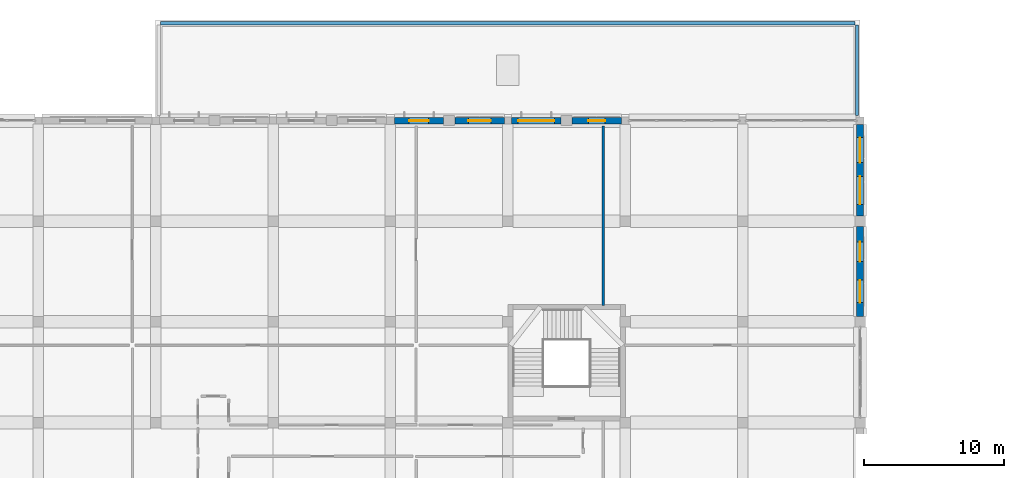
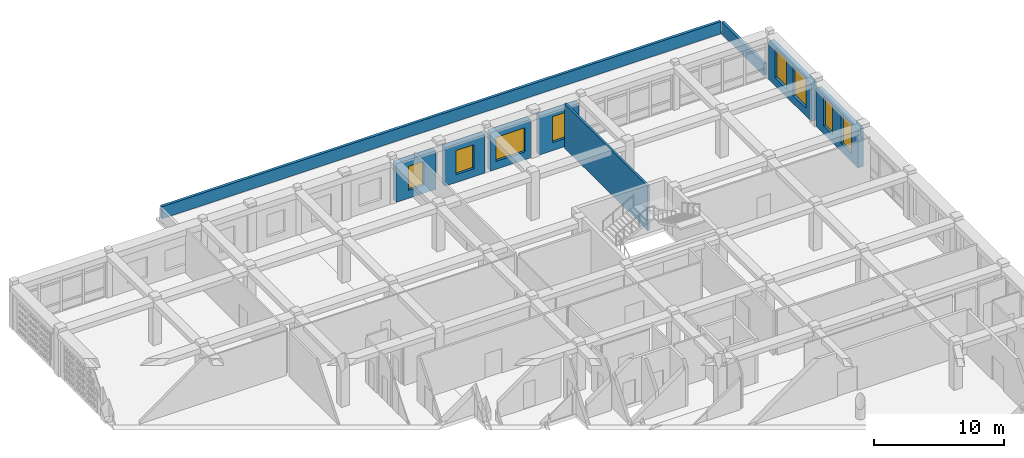
# One storey, part 70 of 111: 9 walls, 8 windows, 8 openings.
"""IFC4 building model written with IfcOpenShell, lengths in metres."""

from ifc_helpers import new_model, si_unit, derived_unit, direction, frame, frame_2d, origin, place, context, subcontext, project, spatial, rectangle, extrude, material, layer, layer_set, type_object, element, fill, save


model = new_model("IFC4")

# Units and contexts
model_context = context("Model", 3, precision=1e-05, world=origin(), true_north=direction((0.0, 1.0)))
body_context = subcontext(model_context, "Body", "Model", "MODEL_VIEW")
ifc_project = project(units=[si_unit("LENGTHUNIT", "METRE"), si_unit("AREAUNIT", "SQUARE_METRE"), si_unit("VOLUMEUNIT", "CUBIC_METRE"), si_unit("PLANEANGLEUNIT", "RADIAN"), si_unit("MASSUNIT", "GRAM", prefix="KILO"), derived_unit("THERMALTRANSMITTANCEUNIT", [(si_unit("POWERUNIT", "WATT"), 1), (si_unit("LENGTHUNIT", "METRE"), -2), (si_unit("THERMODYNAMICTEMPERATUREUNIT", "KELVIN"), -1)])], contexts=[model_context])

# Site, building, storey
site_placement = place(None, origin())
site = spatial("IfcSite", under=ifc_project, at=site_placement, CompositionType="ELEMENT")
building_placement = place(site_placement, origin())
building = spatial("IfcBuilding", under=site, at=building_placement, Name="Veybourne Emporium", CompositionType="ELEMENT")
storey_placement = place(building_placement, frame((0.0, 0.0, 9.89990234375)))
storey = spatial("IfcBuildingStorey", under=building, at=storey_placement, Name="L02", CompositionType="ELEMENT", Elevation=9.89990234375)

# Wall, opening, window
ifc_material_1 = material(Name="Portland Limestone Ashlar", Category="masonry")
ifc_layer_1 = layer(ifc_material_1, 0.47998046875)
ifc_layer_set_1 = layer_set([ifc_layer_1], Name="Portland Limestone Ashlar")
wall_type_1 = type_object("IfcWallType", Name="ExtWall_EW-01", PredefinedType="SOLIDWALL", material=ifc_layer_set_1)
wall_1_placement = place(storey_placement, frame((67.47509765625, 108.0, 0.0), z_axis=(0.0, 0.0, 1.0), x_axis=(1.0, 0.0, 0.0)))
wall_1 = element("IfcWall", 1, at=wall_1_placement, inside=storey, type_object=wall_type_1, Name="L02 Portland stone external wall 038A", PredefinedType="SOLIDWALL", context=body_context, shape_type="SweptSolid", body=[
    extrude(rectangle(XDim=3.52490234375, YDim=0.47998046875, at=frame_2d((1.762451171875, 0.0))), origin(), (0.0, 0.0, 1.0), 3.630126953125),
])
opening_1_placement = place(wall_1_placement, frame((1.0625, 0.0, 0.75)))
opening_1 = element("IfcOpeningElement", 2, at=opening_1_placement, cuts=wall_1, Name="Opening W-18", PredefinedType="OPENING", context=body_context, shape_type="SweptSolid", body=[
    extrude(rectangle(XDim=1.39990234375, YDim=2.260009765625, at=frame_2d((0.699951171875, 1.1298828125))), frame((0.0, 0.260009765625, 0.0), z_axis=(0.0, -1.0, 0.0), x_axis=(1.0, 0.0, 0.0)), (0.0, 0.0, 1.0), 0.52001953125),
])
ifc_material_2 = material(Name="Low-E Triple Glazing", Category="glass")
window_type_1 = type_object("IfcWindowType", Name="Win_W-18", PartitioningType="DOUBLE_PANEL_VERTICAL", PredefinedType="WINDOW", material=ifc_material_2)
window_1_placement = place(opening_1_placement, origin())
window_1 = element("IfcWindow", 3, at=window_1_placement, inside=storey, type_object=window_type_1, Name="L02 tripartite bronze casement window W-18 (38A)", OverallHeight=2.260009765625, OverallWidth=1.39990234375, PartitioningType="DOUBLE_PANEL_VERTICAL", PredefinedType="WINDOW", context=body_context, shape_type="SweptSolid", body=[
    extrude(rectangle(XDim=1.39990234375, YDim=2.260009765625, at=frame_2d((0.699951171875, 1.1298828125))), frame((0.0, 0.030029296875, 0.0), z_axis=(0.0, -1.0, 0.0), x_axis=(1.0, 0.0, 0.0)), (0.0, 0.0, 1.0), 0.06005859375),
])
fill(opening_1, window_1)

wall_2_placement = place(storey_placement, frame((71.800048828125, 108.0, 0.0), z_axis=(0.0, 0.0, 1.0), x_axis=(1.0, 0.0, 0.0)))
wall_2 = element("IfcWall", 4, at=wall_2_placement, inside=storey, type_object=wall_type_1, Name="L02 Portland stone external wall 038B", PredefinedType="SOLIDWALL", context=body_context, shape_type="SweptSolid", body=[
    extrude(rectangle(XDim=3.550048828125, YDim=0.47998046875, at=frame_2d((1.77490234375, 0.0))), origin(), (0.0, 0.0, 1.0), 3.630126953125),
])
opening_2_placement = place(wall_2_placement, frame((0.97509765625, 0.0, 0.75)))
opening_2 = element("IfcOpeningElement", 5, at=opening_2_placement, cuts=wall_2, Name="Opening W-19", PredefinedType="OPENING", context=body_context, shape_type="SweptSolid", body=[
    extrude(rectangle(XDim=1.60009765625, YDim=2.260009765625, at=frame_2d((0.800048828125, 1.1298828125))), frame((0.0, 0.260009765625, 0.0), z_axis=(0.0, -1.0, 0.0), x_axis=(1.0, 0.0, 0.0)), (0.0, 0.0, 1.0), 0.52001953125),
])
window_type_2 = type_object("IfcWindowType", Name="Win_W-19", PartitioningType="DOUBLE_PANEL_VERTICAL", PredefinedType="WINDOW", material=ifc_material_2)
window_2_placement = place(opening_2_placement, origin())
window_2 = element("IfcWindow", 6, at=window_2_placement, inside=storey, type_object=window_type_2, Name="L02 tripartite bronze casement window W-19 (38B)", OverallHeight=2.260009765625, OverallWidth=1.60009765625, PartitioningType="DOUBLE_PANEL_VERTICAL", PredefinedType="WINDOW", context=body_context, shape_type="SweptSolid", body=[
    extrude(rectangle(XDim=1.60009765625, YDim=2.260009765625, at=frame_2d((0.800048828125, 1.1298828125))), frame((0.0, 0.030029296875, 0.0), z_axis=(0.0, -1.0, 0.0), x_axis=(1.0, 0.0, 0.0)), (0.0, 0.0, 1.0), 0.06005859375),
])
fill(opening_2, window_2)

wall_3_placement = place(storey_placement, frame((75.85009765625, 108.0, 0.0), z_axis=(0.0, 0.0, 1.0), x_axis=(1.0, 0.0, 0.0)))
wall_3 = element("IfcWall", 7, at=wall_3_placement, inside=storey, type_object=wall_type_1, Name="L02 Portland stone external wall 042A", PredefinedType="SOLIDWALL", context=body_context, shape_type="SweptSolid", body=[
    extrude(rectangle(XDim=3.5498046875, YDim=0.47998046875, at=frame_2d((1.77490234375, 0.0))), origin(), (0.0, 0.0, 1.0), 3.630126953125),
])
opening_3_placement = place(wall_3_placement, frame((0.47509765625, 0.0, 0.75)))
opening_3 = element("IfcOpeningElement", 8, at=opening_3_placement, cuts=wall_3, Name="Opening W-24", PredefinedType="OPENING", context=body_context, shape_type="SweptSolid", body=[
    extrude(rectangle(XDim=2.60009765625, YDim=2.260009765625, at=frame_2d((1.300048828125, 1.1298828125))), frame((0.0, 0.260009765625, 0.0), z_axis=(0.0, -1.0, 0.0), x_axis=(1.0, 0.0, 0.0)), (0.0, 0.0, 1.0), 0.52001953125),
])
window_type_3 = type_object("IfcWindowType", Name="Win_W-24", PartitioningType="TRIPLE_PANEL_VERTICAL", PredefinedType="WINDOW", material=ifc_material_2)
window_3_placement = place(opening_3_placement, origin())
window_3 = element("IfcWindow", 9, at=window_3_placement, inside=storey, type_object=window_type_3, Name="L02 tripartite bronze casement window W-24 (42A)", OverallHeight=2.260009765625, OverallWidth=2.60009765625, PartitioningType="TRIPLE_PANEL_VERTICAL", PredefinedType="WINDOW", context=body_context, shape_type="SweptSolid", body=[
    extrude(rectangle(XDim=2.60009765625, YDim=2.260009765625, at=frame_2d((1.300048828125, 1.1298828125))), frame((0.0, 0.030029296875, 0.0), z_axis=(0.0, -1.0, 0.0), x_axis=(1.0, 0.0, 0.0)), (0.0, 0.0, 1.0), 0.06005859375),
])
fill(opening_3, window_3)

wall_4_placement = place(storey_placement, frame((80.199951171875, 108.0, 0.0), z_axis=(0.0, 0.0, 1.0), x_axis=(1.0, 0.0, 0.0)))
wall_4 = element("IfcWall", 10, at=wall_4_placement, inside=storey, type_object=wall_type_1, Name="L02 Portland stone external wall 042B", PredefinedType="SOLIDWALL", context=body_context, shape_type="SweptSolid", body=[
    extrude(rectangle(XDim=3.525146484375, YDim=0.47998046875, at=frame_2d((1.7626953125, 0.0))), origin(), (0.0, 0.0, 1.0), 3.630126953125),
])
opening_4_placement = place(wall_4_placement, frame((1.16259765625, 0.0, 0.75)))
opening_4 = element("IfcOpeningElement", 11, at=opening_4_placement, cuts=wall_4, Name="Opening W-25", PredefinedType="OPENING", context=body_context, shape_type="SweptSolid", body=[
    extrude(rectangle(XDim=1.199951171875, YDim=2.43994140625, at=frame_2d((0.60009765625, 1.219970703125))), frame((0.0, 0.260009765625, 0.0), z_axis=(0.0, -1.0, 0.0), x_axis=(1.0, 0.0, 0.0)), (0.0, 0.0, 1.0), 0.52001953125),
])
window_type_4 = type_object("IfcWindowType", Name="Win_W-25", PartitioningType="SINGLE_PANEL", PredefinedType="WINDOW", material=ifc_material_2)
window_4_placement = place(opening_4_placement, origin())
window_4 = element("IfcWindow", 12, at=window_4_placement, inside=storey, type_object=window_type_4, Name="L02 tripartite bronze casement window W-25 (42B)", OverallHeight=2.43994140625, OverallWidth=1.199951171875, PartitioningType="SINGLE_PANEL", PredefinedType="WINDOW", context=body_context, shape_type="SweptSolid", body=[
    extrude(rectangle(XDim=1.199951171875, YDim=2.43994140625, at=frame_2d((0.60009765625, 1.219970703125))), frame((0.0, 0.030029296875, 0.0), z_axis=(0.0, -1.0, 0.0), x_axis=(1.0, 0.0, 0.0)), (0.0, 0.0, 1.0), 0.06005859375),
])
fill(opening_4, window_4)

# Wall, openings, windows
wall_5_placement = place(storey_placement, frame((100.800048828125, 100.425048828125, 0.0), z_axis=(0.0, 0.0, 1.0), x_axis=(0.0, -1.0, 0.0)))
wall_5 = element("IfcWall", 13, at=wall_5_placement, inside=storey, type_object=wall_type_1, Name="L02 Portland stone external wall 058", PredefinedType="SOLIDWALL", context=body_context, shape_type="SweptSolid", body=[
    extrude(rectangle(XDim=6.449951171875, YDim=0.47998046875, at=frame_2d((3.22509765625, 0.0))), origin(), (0.0, 0.0, 1.0), 3.630126953125),
])
opening_5_placement = place(wall_5_placement, frame((1.10595703125, 0.0, 0.75)))
opening_5 = element("IfcOpeningElement", 14, at=opening_5_placement, cuts=wall_5, Name="Opening W-42", PredefinedType="OPENING", context=body_context, shape_type="SweptSolid", body=[
    extrude(rectangle(XDim=1.39990234375, YDim=2.72998046875, at=frame_2d((0.699951171875, 1.364990234375))), frame((0.0, 0.260009765625, 0.0), z_axis=(0.0, -1.0, 0.0), x_axis=(1.0, 0.0, 0.0)), (0.0, 0.0, 1.0), 0.52001953125),
])
opening_6_placement = place(wall_5_placement, frame((3.843994140625, 0.0, 0.75)))
opening_6 = element("IfcOpeningElement", 15, at=opening_6_placement, cuts=wall_5, Name="Opening W-43", PredefinedType="OPENING", context=body_context, shape_type="SweptSolid", body=[
    extrude(rectangle(XDim=1.60009765625, YDim=2.72998046875, at=frame_2d((0.800048828125, 1.364990234375))), frame((0.0, 0.260009765625, 0.0), z_axis=(0.0, -1.0, 0.0), x_axis=(1.0, 0.0, 0.0)), (0.0, 0.0, 1.0), 0.52001953125),
])
window_type_5 = type_object("IfcWindowType", Name="Win_W-42", PartitioningType="DOUBLE_PANEL_VERTICAL", PredefinedType="WINDOW", material=ifc_material_2)
window_5_placement = place(opening_5_placement, origin())
window_5 = element("IfcWindow", 16, at=window_5_placement, inside=storey, type_object=window_type_5, Name="L02 tripartite bronze casement window W-42 (58.1)", OverallHeight=2.72998046875, OverallWidth=1.39990234375, PartitioningType="DOUBLE_PANEL_VERTICAL", PredefinedType="WINDOW", context=body_context, shape_type="SweptSolid", body=[
    extrude(rectangle(XDim=1.39990234375, YDim=2.72998046875, at=frame_2d((0.699951171875, 1.364990234375))), frame((0.0, 0.030029296875, 0.0), z_axis=(0.0, -1.0, 0.0), x_axis=(1.0, 0.0, 0.0)), (0.0, 0.0, 1.0), 0.06005859375),
])
fill(opening_5, window_5)
window_type_6 = type_object("IfcWindowType", Name="Win_W-43", PartitioningType="DOUBLE_PANEL_VERTICAL", PredefinedType="WINDOW", material=ifc_material_2)
window_6_placement = place(opening_6_placement, origin())
window_6 = element("IfcWindow", 17, at=window_6_placement, inside=storey, type_object=window_type_6, Name="L02 tripartite bronze casement window W-43 (58.2)", OverallHeight=2.72998046875, OverallWidth=1.60009765625, PartitioningType="DOUBLE_PANEL_VERTICAL", PredefinedType="WINDOW", context=body_context, shape_type="SweptSolid", body=[
    extrude(rectangle(XDim=1.60009765625, YDim=2.72998046875, at=frame_2d((0.800048828125, 1.364990234375))), frame((0.0, 0.030029296875, 0.0), z_axis=(0.0, -1.0, 0.0), x_axis=(1.0, 0.0, 0.0)), (0.0, 0.0, 1.0), 0.06005859375),
])
fill(opening_6, window_6)

wall_6_placement = place(storey_placement, frame((100.800048828125, 107.72509765625, 0.0), z_axis=(0.0, 0.0, 1.0), x_axis=(0.0, -1.0, 0.0)))
wall_6 = element("IfcWall", 18, at=wall_6_placement, inside=storey, type_object=wall_type_1, Name="L02 Portland stone external wall 059", PredefinedType="SOLIDWALL", context=body_context, shape_type="SweptSolid", body=[
    extrude(rectangle(XDim=6.550048828125, YDim=0.47998046875, at=frame_2d((3.27490234375, 0.0))), origin(), (0.0, 0.0, 1.0), 3.630126953125),
])
opening_7_placement = place(wall_6_placement, frame((0.93408203125, 0.0, 0.75)))
opening_7 = element("IfcOpeningElement", 19, at=opening_7_placement, cuts=wall_6, Name="Opening W-44", PredefinedType="OPENING", context=body_context, shape_type="SweptSolid", body=[
    extrude(rectangle(XDim=1.800048828125, YDim=2.72998046875, at=frame_2d((0.89990234375, 1.364990234375))), frame((0.0, 0.260009765625, 0.0), z_axis=(0.0, -1.0, 0.0), x_axis=(1.0, 0.0, 0.0)), (0.0, 0.0, 1.0), 0.52001953125),
])
opening_8_placement = place(wall_6_placement, frame((3.716064453125, 0.0, 0.75)))
opening_8 = element("IfcOpeningElement", 20, at=opening_8_placement, cuts=wall_6, Name="Opening W-45", PredefinedType="OPENING", context=body_context, shape_type="SweptSolid", body=[
    extrude(rectangle(XDim=2.0, YDim=2.72998046875, at=frame_2d((1.0, 1.364990234375))), frame((0.0, 0.260009765625, 0.0), z_axis=(0.0, -1.0, 0.0), x_axis=(1.0, 0.0, 0.0)), (0.0, 0.0, 1.0), 0.52001953125),
])
window_type_7 = type_object("IfcWindowType", Name="Win_W-44", PartitioningType="DOUBLE_PANEL_VERTICAL", PredefinedType="WINDOW", material=ifc_material_2)
window_7_placement = place(opening_7_placement, origin())
window_7 = element("IfcWindow", 21, at=window_7_placement, inside=storey, type_object=window_type_7, Name="L02 tripartite bronze casement window W-44 (59.1)", OverallHeight=2.72998046875, OverallWidth=1.800048828125, PartitioningType="DOUBLE_PANEL_VERTICAL", PredefinedType="WINDOW", context=body_context, shape_type="SweptSolid", body=[
    extrude(rectangle(XDim=1.800048828125, YDim=2.72998046875, at=frame_2d((0.89990234375, 1.364990234375))), frame((0.0, 0.030029296875, 0.0), z_axis=(0.0, -1.0, 0.0), x_axis=(1.0, 0.0, 0.0)), (0.0, 0.0, 1.0), 0.06005859375),
])
fill(opening_7, window_7)
window_type_8 = type_object("IfcWindowType", Name="Win_W-45", PartitioningType="TRIPLE_PANEL_VERTICAL", PredefinedType="WINDOW", material=ifc_material_2)
window_8_placement = place(opening_8_placement, origin())
window_8 = element("IfcWindow", 22, at=window_8_placement, inside=storey, type_object=window_type_8, Name="L02 tripartite bronze casement window W-45 (59.2)", OverallHeight=2.72998046875, OverallWidth=2.0, PartitioningType="TRIPLE_PANEL_VERTICAL", PredefinedType="WINDOW", context=body_context, shape_type="SweptSolid", body=[
    extrude(rectangle(XDim=2.0, YDim=2.72998046875, at=frame_2d((1.0, 1.364990234375))), frame((0.0, 0.030029296875, 0.0), z_axis=(0.0, -1.0, 0.0), x_axis=(1.0, 0.0, 0.0)), (0.0, 0.0, 1.0), 0.06005859375),
])
fill(opening_8, window_8)

# Walls
ifc_material_3 = material(Name="Precast concrete C40/50", Category="concrete")
ifc_layer_2 = layer(ifc_material_3, 0.239990234375)
ifc_layer_set_2 = layer_set([ifc_layer_2], Name="Precast concrete C40/50")
wall_type_2 = type_object("IfcWallType", Name="ExtWall_PW-02", PredefinedType="PARAPET", material=ifc_layer_set_2)
wall_7_placement = place(storey_placement, frame((100.580078125, 114.85009765625, 0.0), z_axis=(0.0, 0.0, 1.0), x_axis=(0.0, -1.0, 0.0)))
element("IfcWall", 23, at=wall_7_placement, inside=storey, type_object=wall_type_2, Name="L02 roof parapet wall 003", PredefinedType="PARAPET", context=body_context, shape_type="SweptSolid", body=[
    extrude(rectangle(XDim=6.5, YDim=0.239990234375, at=frame_2d((3.25, 0.0))), origin(), (0.0, 0.0, 1.0), 1.150146484375),
])
wall_8_placement = place(storey_placement, frame((50.75, 114.97998046875, 0.0), z_axis=(0.0, 0.0, 1.0), x_axis=(1.0, 0.0, 0.0)))
element("IfcWall", 24, at=wall_8_placement, inside=storey, type_object=wall_type_2, Name="L02 roof parapet wall 005", PredefinedType="PARAPET", context=body_context, shape_type="SweptSolid", body=[
    extrude(rectangle(XDim=49.699951171875, YDim=0.239990234375, at=frame_2d((24.85009765625, 0.0))), origin(), (0.0, 0.0, 1.0), 1.150146484375),
])
ifc_material_4 = material(Name="Gypsum Acoustic Board", Category="gypsum")
ifc_layer_3 = layer(ifc_material_4, 0.179931640625)
ifc_layer_set_3 = layer_set([ifc_layer_3], Name="Gypsum Acoustic Board")
wall_type_3 = type_object("IfcWallType", Name="IntWall_IW-01", PredefinedType="PARTITIONING", material=ifc_layer_set_3)
wall_9_placement = place(storey_placement, frame((82.419921875, 94.7900390625, 0.0), z_axis=(0.0, 0.0, 1.0), x_axis=(0.0, 1.0, 0.0)))
element("IfcWall", 25, at=wall_9_placement, inside=storey, type_object=wall_type_3, Name="L02 interior partition IW-01 #174", PredefinedType="PARTITIONING", context=body_context, shape_type="SweptSolid", body=[
    extrude(rectangle(XDim=12.83984375, YDim=0.179931640625, at=frame_2d((6.419921875, 0.0))), origin(), (0.0, 0.0, 1.0), 4.18017578125),
])

save(model, "model.ifc")
